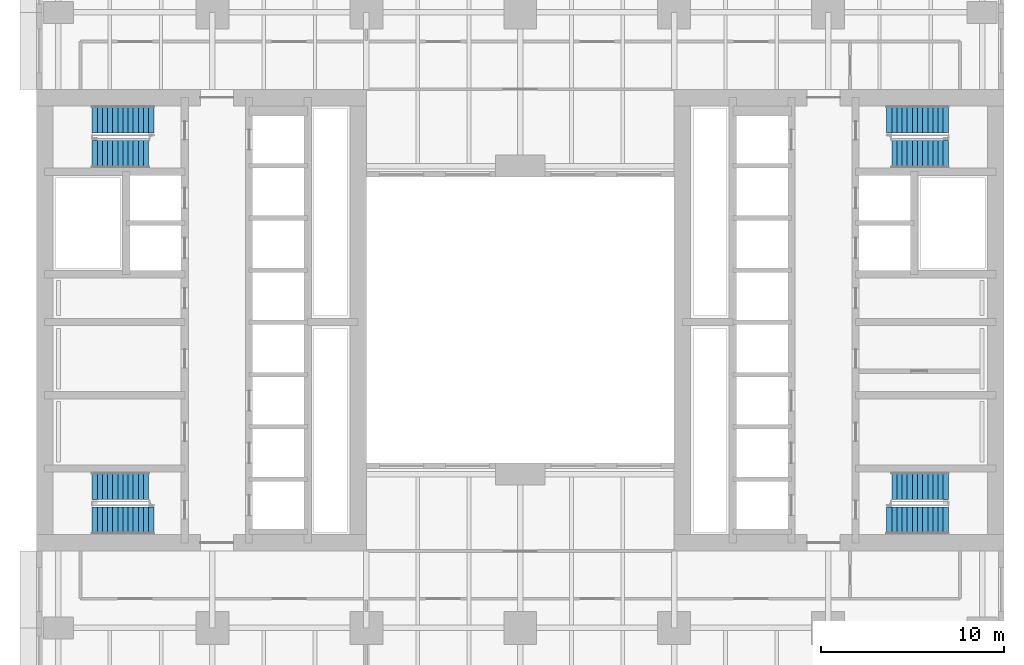
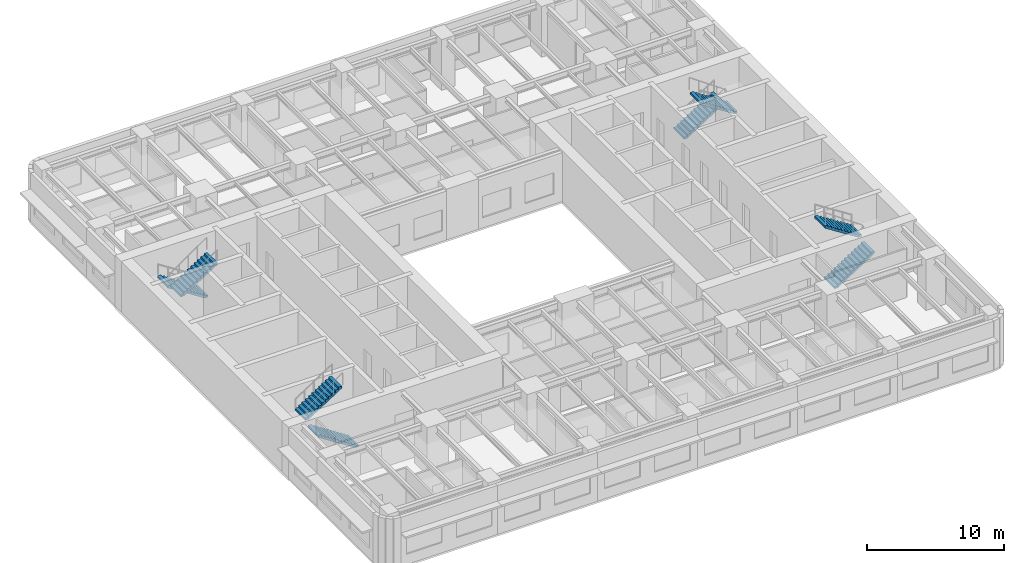
# One storey, part 8 of 12: 8 stair flights, 4 elements without a shape of their own.
"""IFC4 building model written with IfcOpenShell, lengths in metres."""

from ifc_helpers import new_model, si_unit, direction, frame, origin, place, context, subcontext, project, spatial, polyline, outline, extrude, material, type_object, element, aggregate, save


model = new_model("IFC4")

# Units and contexts
model_context = context("Model", 3, precision=1e-05, world=origin(), true_north=direction((0.0, 1.0)))
body_context = subcontext(model_context, "Body", "Model", "MODEL_VIEW")
ifc_project = project(units=[si_unit("LENGTHUNIT", "METRE"), si_unit("AREAUNIT", "SQUARE_METRE"), si_unit("VOLUMEUNIT", "CUBIC_METRE"), si_unit("PLANEANGLEUNIT", "RADIAN"), si_unit("MASSUNIT", "GRAM", prefix="KILO")], contexts=[model_context])

# Site, building, storey
site_placement = place(None, origin())
site = spatial("IfcSite", under=ifc_project, at=site_placement, CompositionType="ELEMENT")
building_placement = place(site_placement, origin())
building = spatial("IfcBuilding", under=site, at=building_placement, Name="Claustro Exchange Tower", CompositionType="ELEMENT")
storey_placement = place(building_placement, frame((0.0, 0.0, 63.89990234375)))
storey = spatial("IfcBuildingStorey", under=building, at=storey_placement, Name="L14", CompositionType="ELEMENT", Elevation=63.89990234375)

# Stair, stair flight
ifc_material_1 = material(Name="Concrete HA-30 (C30/37), precast", Category="concrete")
stair_type = type_object("IfcStairType", Name="ST2 half-turn stair, 25 risers of 180", PredefinedType="HALF_TURN_STAIR", material=ifc_material_1)
stair_1_placement = place(storey_placement, origin())
stair_1 = element("IfcStair", 1, at=stair_1_placement, inside=storey, type_object=stair_type, Name="Stair STWA L14", PredefinedType="HALF_TURN_STAIR")
ifc_material_2 = material(Name="Concrete HA-30 (C30/37), precast", Category="concrete")
stair_flight_type_1 = type_object("IfcStairFlightType", Name="SF12B straight flight, 12 risers of 180, 1500 wide", PredefinedType="STRAIGHT", material=ifc_material_2)
stair_flight_1_placement = place(storey_placement, frame((1.840087890625, 16.14990234375, 2.340087890625), z_axis=(0.0, 0.0, 1.0), x_axis=(1.0, 0.0, 0.0)))
stair_flight_1 = element("IfcStairFlight", 2, at=stair_flight_1_placement, type_object=stair_flight_type_1, Name="STWA flight 2", NumberOfRisers=12, NumberOfTreads=11, PredefinedType="STRAIGHT", RiserHeight=0.18, TreadLength=0.28, context=body_context, shape_type="SweptSolid", body=[
    extrude(outline(polyline([(0.0, 0.0), (0.0, 0.179931640625), (0.280029296875, 0.179931640625), (0.280029296875, 0.360107421875), (0.56005859375, 0.360107421875), (0.56005859375, 0.5400390625), (0.840087890625, 0.5400390625), (0.840087890625, 0.719970703125), (1.1201171875, 0.719970703125), (1.1201171875, 0.89990234375), (1.39990234375, 0.89990234375), (1.39990234375, 1.080078125), (1.679931640625, 1.080078125), (1.679931640625, 1.260009765625), (1.9599609375, 1.260009765625), (1.9599609375, 1.43994140625), (2.239990234375, 1.43994140625), (2.239990234375, 1.6201171875), (2.52001953125, 1.6201171875), (2.52001953125, 1.800048828125), (2.800048828125, 1.800048828125), (2.800048828125, 1.97998046875), (3.080078125, 1.97998046875), (3.080078125, 2.159912109375), (3.080078125, 1.8017578125), (0.277099609375, 0.0), (0.0, 0.0)])), frame((0.0, 0.75, 0.0), z_axis=(0.0, -1.0, 0.0), x_axis=(1.0, 0.0, 0.0)), (0.0, 0.0, 1.0), 1.5),
])

stair_2_placement = place(storey_placement, origin())
stair_2 = element("IfcStair", 3, at=stair_2_placement, inside=storey, type_object=stair_type, Name="Stair STWB L14", PredefinedType="HALF_TURN_STAIR")
stair_flight_2_placement = place(storey_placement, frame((1.840087890625, 34.25, 2.340087890625), z_axis=(0.0, 0.0, 1.0), x_axis=(1.0, 0.0, 0.0)))
stair_flight_2 = element("IfcStairFlight", 4, at=stair_flight_2_placement, type_object=stair_flight_type_1, Name="STWB flight 2", NumberOfRisers=12, NumberOfTreads=11, PredefinedType="STRAIGHT", RiserHeight=0.18, TreadLength=0.28, context=body_context, shape_type="SweptSolid", body=[
    extrude(outline(polyline([(0.0, 0.0), (0.0, 0.179931640625), (0.280029296875, 0.179931640625), (0.280029296875, 0.360107421875), (0.56005859375, 0.360107421875), (0.56005859375, 0.5400390625), (0.840087890625, 0.5400390625), (0.840087890625, 0.719970703125), (1.1201171875, 0.719970703125), (1.1201171875, 0.89990234375), (1.39990234375, 0.89990234375), (1.39990234375, 1.080078125), (1.679931640625, 1.080078125), (1.679931640625, 1.260009765625), (1.9599609375, 1.260009765625), (1.9599609375, 1.43994140625), (2.239990234375, 1.43994140625), (2.239990234375, 1.6201171875), (2.52001953125, 1.6201171875), (2.52001953125, 1.800048828125), (2.800048828125, 1.800048828125), (2.800048828125, 1.97998046875), (3.080078125, 1.97998046875), (3.080078125, 2.159912109375), (3.080078125, 1.8017578125), (0.277099609375, 0.0), (0.0, 0.0)])), frame((0.0, 0.75, 0.0), z_axis=(0.0, -1.0, 0.0), x_axis=(1.0, 0.0, 0.0)), (0.0, 0.0, 1.0), 1.5),
])

stair_3_placement = place(storey_placement, origin())
stair_3 = element("IfcStair", 5, at=stair_3_placement, inside=storey, type_object=stair_type, Name="Stair STEA L14", PredefinedType="HALF_TURN_STAIR")
stair_flight_3_placement = place(storey_placement, frame((48.56005859375, 16.14990234375, 2.340087890625), z_axis=(0.0, 0.0, 1.0), x_axis=(-1.0, 0.0, 0.0)))
stair_flight_3 = element("IfcStairFlight", 6, at=stair_flight_3_placement, type_object=stair_flight_type_1, Name="STEA flight 2", NumberOfRisers=12, NumberOfTreads=11, PredefinedType="STRAIGHT", RiserHeight=0.18, TreadLength=0.28, context=body_context, shape_type="SweptSolid", body=[
    extrude(outline(polyline([(0.0, 0.0), (0.0, 0.179931640625), (0.280029296875, 0.179931640625), (0.280029296875, 0.360107421875), (0.56005859375, 0.360107421875), (0.56005859375, 0.5400390625), (0.840087890625, 0.5400390625), (0.840087890625, 0.719970703125), (1.1201171875, 0.719970703125), (1.1201171875, 0.89990234375), (1.39990234375, 0.89990234375), (1.39990234375, 1.080078125), (1.679931640625, 1.080078125), (1.679931640625, 1.260009765625), (1.9599609375, 1.260009765625), (1.9599609375, 1.43994140625), (2.239990234375, 1.43994140625), (2.239990234375, 1.6201171875), (2.52001953125, 1.6201171875), (2.52001953125, 1.800048828125), (2.800048828125, 1.800048828125), (2.800048828125, 1.97998046875), (3.080078125, 1.97998046875), (3.080078125, 2.159912109375), (3.080078125, 1.8017578125), (0.277099609375, 0.0), (0.0, 0.0)])), frame((0.0, 0.75, 0.0), z_axis=(0.0, -1.0, 0.0), x_axis=(1.0, 0.0, 0.0)), (0.0, 0.0, 1.0), 1.5),
])

stair_4_placement = place(storey_placement, origin())
stair_4 = element("IfcStair", 7, at=stair_4_placement, inside=storey, type_object=stair_type, Name="Stair STEB L14", PredefinedType="HALF_TURN_STAIR")
stair_flight_4_placement = place(storey_placement, frame((48.56005859375, 34.25, 2.340087890625), z_axis=(0.0, 0.0, 1.0), x_axis=(-1.0, 0.0, 0.0)))
stair_flight_4 = element("IfcStairFlight", 8, at=stair_flight_4_placement, type_object=stair_flight_type_1, Name="STEB flight 2", NumberOfRisers=12, NumberOfTreads=11, PredefinedType="STRAIGHT", RiserHeight=0.18, TreadLength=0.28, context=body_context, shape_type="SweptSolid", body=[
    extrude(outline(polyline([(0.0, 0.0), (0.0, 0.179931640625), (0.280029296875, 0.179931640625), (0.280029296875, 0.360107421875), (0.56005859375, 0.360107421875), (0.56005859375, 0.5400390625), (0.840087890625, 0.5400390625), (0.840087890625, 0.719970703125), (1.1201171875, 0.719970703125), (1.1201171875, 0.89990234375), (1.39990234375, 0.89990234375), (1.39990234375, 1.080078125), (1.679931640625, 1.080078125), (1.679931640625, 1.260009765625), (1.9599609375, 1.260009765625), (1.9599609375, 1.43994140625), (2.239990234375, 1.43994140625), (2.239990234375, 1.6201171875), (2.52001953125, 1.6201171875), (2.52001953125, 1.800048828125), (2.800048828125, 1.800048828125), (2.800048828125, 1.97998046875), (3.080078125, 1.97998046875), (3.080078125, 2.159912109375), (3.080078125, 1.8017578125), (0.277099609375, 0.0), (0.0, 0.0)])), frame((0.0, 0.75, 0.0), z_axis=(0.0, -1.0, 0.0), x_axis=(1.0, 0.0, 0.0)), (0.0, 0.0, 1.0), 1.5),
])

# Stair flight
ifc_material_3 = material(Name="Concrete HA-30 (C30/37), precast", Category="concrete")
stair_flight_type_2 = type_object("IfcStairFlightType", Name="SF13 straight flight, 13 risers of 180, 1500 wide", PredefinedType="STRAIGHT", material=ifc_material_3)
stair_flight_5_placement = place(storey_placement, frame((5.199951171875, 14.25, 0.0), z_axis=(0.0, 0.0, 1.0), x_axis=(-1.0, 0.0, 0.0)))
stair_flight_5 = element("IfcStairFlight", 9, at=stair_flight_5_placement, type_object=stair_flight_type_2, Name="STWA flight 1", NumberOfRisers=13, NumberOfTreads=12, PredefinedType="STRAIGHT", RiserHeight=0.18, TreadLength=0.28, context=body_context, shape_type="SweptSolid", body=[
    extrude(outline(polyline([(0.0, 0.0), (0.0, 0.179931640625), (0.280029296875, 0.179931640625), (0.280029296875, 0.360107421875), (0.56005859375, 0.360107421875), (0.56005859375, 0.5400390625), (0.840087890625, 0.5400390625), (0.840087890625, 0.719970703125), (1.1201171875, 0.719970703125), (1.1201171875, 0.89990234375), (1.39990234375, 0.89990234375), (1.39990234375, 1.080078125), (1.679931640625, 1.080078125), (1.679931640625, 1.260009765625), (1.9599609375, 1.260009765625), (1.9599609375, 1.43994140625), (2.239990234375, 1.43994140625), (2.239990234375, 1.6201171875), (2.52001953125, 1.6201171875), (2.52001953125, 1.800048828125), (2.800048828125, 1.800048828125), (2.800048828125, 1.97998046875), (3.080078125, 1.97998046875), (3.080078125, 2.159912109375), (3.360107421875, 2.159912109375), (3.360107421875, 2.340087890625), (3.360107421875, 1.981689453125), (0.277099609375, 0.0), (0.0, 0.0)])), frame((0.0, 0.75, 0.0), z_axis=(0.0, -1.0, 0.0), x_axis=(1.0, 0.0, 0.0)), (0.0, 0.0, 1.0), 1.5),
])

aggregate(stair_1, [stair_flight_5, stair_flight_1])

stair_flight_6_placement = place(storey_placement, frame((5.199951171875, 36.14990234375, 0.0), z_axis=(0.0, 0.0, 1.0), x_axis=(-1.0, 0.0, 0.0)))
stair_flight_6 = element("IfcStairFlight", 10, at=stair_flight_6_placement, type_object=stair_flight_type_2, Name="STWB flight 1", NumberOfRisers=13, NumberOfTreads=12, PredefinedType="STRAIGHT", RiserHeight=0.18, TreadLength=0.28, context=body_context, shape_type="SweptSolid", body=[
    extrude(outline(polyline([(0.0, 0.0), (0.0, 0.179931640625), (0.280029296875, 0.179931640625), (0.280029296875, 0.360107421875), (0.56005859375, 0.360107421875), (0.56005859375, 0.5400390625), (0.840087890625, 0.5400390625), (0.840087890625, 0.719970703125), (1.1201171875, 0.719970703125), (1.1201171875, 0.89990234375), (1.39990234375, 0.89990234375), (1.39990234375, 1.080078125), (1.679931640625, 1.080078125), (1.679931640625, 1.260009765625), (1.9599609375, 1.260009765625), (1.9599609375, 1.43994140625), (2.239990234375, 1.43994140625), (2.239990234375, 1.6201171875), (2.52001953125, 1.6201171875), (2.52001953125, 1.800048828125), (2.800048828125, 1.800048828125), (2.800048828125, 1.97998046875), (3.080078125, 1.97998046875), (3.080078125, 2.159912109375), (3.360107421875, 2.159912109375), (3.360107421875, 2.340087890625), (3.360107421875, 1.981689453125), (0.277099609375, 0.0), (0.0, 0.0)])), frame((0.0, 0.75, 0.0), z_axis=(0.0, -1.0, 0.0), x_axis=(1.0, 0.0, 0.0)), (0.0, 0.0, 1.0), 1.5),
])

aggregate(stair_2, [stair_flight_6, stair_flight_2])

stair_flight_7_placement = place(storey_placement, frame((45.199951171875, 14.25, 0.0), z_axis=(0.0, 0.0, 1.0), x_axis=(1.0, 0.0, 0.0)))
stair_flight_7 = element("IfcStairFlight", 11, at=stair_flight_7_placement, type_object=stair_flight_type_2, Name="STEA flight 1", NumberOfRisers=13, NumberOfTreads=12, PredefinedType="STRAIGHT", RiserHeight=0.18, TreadLength=0.28, context=body_context, shape_type="SweptSolid", body=[
    extrude(outline(polyline([(0.0, 0.0), (0.0, 0.179931640625), (0.280029296875, 0.179931640625), (0.280029296875, 0.360107421875), (0.56005859375, 0.360107421875), (0.56005859375, 0.5400390625), (0.840087890625, 0.5400390625), (0.840087890625, 0.719970703125), (1.1201171875, 0.719970703125), (1.1201171875, 0.89990234375), (1.39990234375, 0.89990234375), (1.39990234375, 1.080078125), (1.679931640625, 1.080078125), (1.679931640625, 1.260009765625), (1.9599609375, 1.260009765625), (1.9599609375, 1.43994140625), (2.239990234375, 1.43994140625), (2.239990234375, 1.6201171875), (2.52001953125, 1.6201171875), (2.52001953125, 1.800048828125), (2.800048828125, 1.800048828125), (2.800048828125, 1.97998046875), (3.080078125, 1.97998046875), (3.080078125, 2.159912109375), (3.360107421875, 2.159912109375), (3.360107421875, 2.340087890625), (3.360107421875, 1.981689453125), (0.277099609375, 0.0), (0.0, 0.0)])), frame((0.0, 0.75, 0.0), z_axis=(0.0, -1.0, 0.0), x_axis=(1.0, 0.0, 0.0)), (0.0, 0.0, 1.0), 1.5),
])

aggregate(stair_3, [stair_flight_7, stair_flight_3])

stair_flight_8_placement = place(storey_placement, frame((45.199951171875, 36.14990234375, 0.0), z_axis=(0.0, 0.0, 1.0), x_axis=(1.0, 0.0, 0.0)))
stair_flight_8 = element("IfcStairFlight", 12, at=stair_flight_8_placement, type_object=stair_flight_type_2, Name="STEB flight 1", NumberOfRisers=13, NumberOfTreads=12, PredefinedType="STRAIGHT", RiserHeight=0.18, TreadLength=0.28, context=body_context, shape_type="SweptSolid", body=[
    extrude(outline(polyline([(0.0, 0.0), (0.0, 0.179931640625), (0.280029296875, 0.179931640625), (0.280029296875, 0.360107421875), (0.56005859375, 0.360107421875), (0.56005859375, 0.5400390625), (0.840087890625, 0.5400390625), (0.840087890625, 0.719970703125), (1.1201171875, 0.719970703125), (1.1201171875, 0.89990234375), (1.39990234375, 0.89990234375), (1.39990234375, 1.080078125), (1.679931640625, 1.080078125), (1.679931640625, 1.260009765625), (1.9599609375, 1.260009765625), (1.9599609375, 1.43994140625), (2.239990234375, 1.43994140625), (2.239990234375, 1.6201171875), (2.52001953125, 1.6201171875), (2.52001953125, 1.800048828125), (2.800048828125, 1.800048828125), (2.800048828125, 1.97998046875), (3.080078125, 1.97998046875), (3.080078125, 2.159912109375), (3.360107421875, 2.159912109375), (3.360107421875, 2.340087890625), (3.360107421875, 1.981689453125), (0.277099609375, 0.0), (0.0, 0.0)])), frame((0.0, 0.75, 0.0), z_axis=(0.0, -1.0, 0.0), x_axis=(1.0, 0.0, 0.0)), (0.0, 0.0, 1.0), 1.5),
])

aggregate(stair_4, [stair_flight_8, stair_flight_4])

save(model, "model.ifc")
